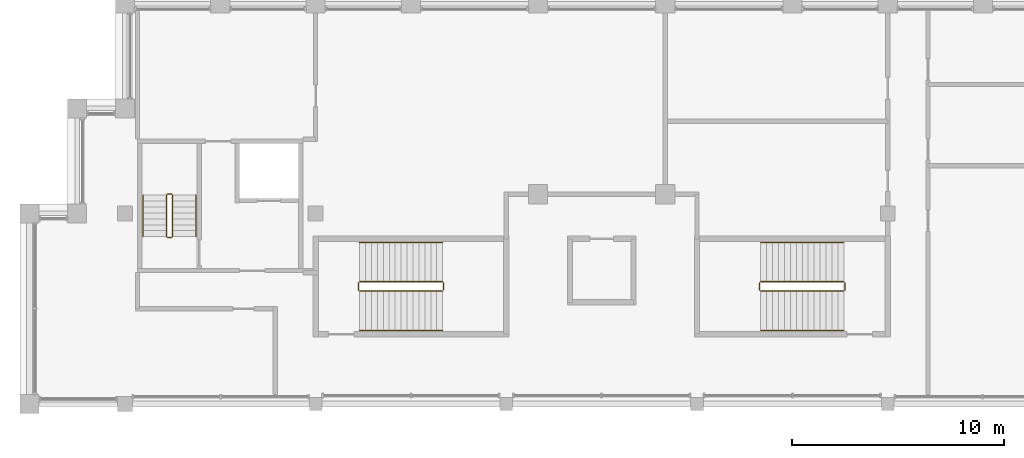
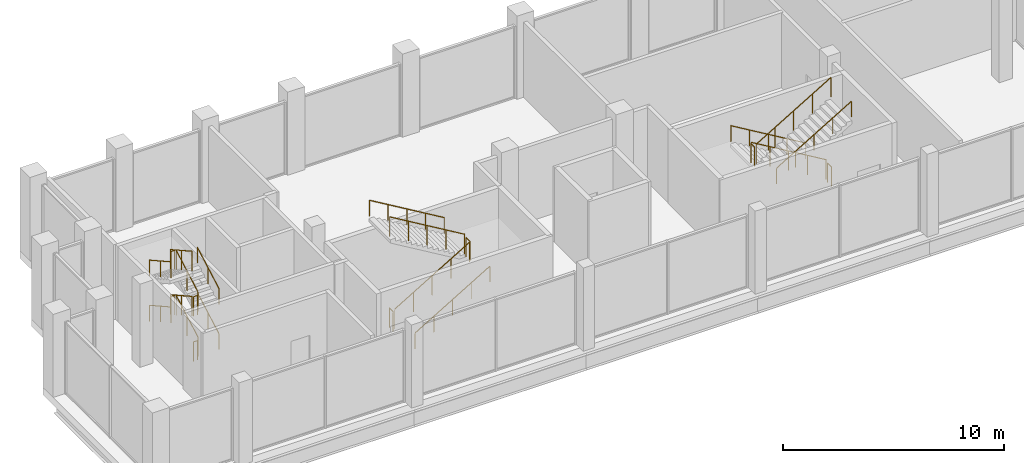
# One storey, part 8 of 8: 3 railings.
"""IFC4 building model written with IfcOpenShell, lengths in metres."""

from ifc_helpers import new_model, si_unit, direction, frame, origin, origin_2d, place, context, subcontext, project, spatial, circle, extrude, material, type_object, element, save


model = new_model("IFC4")

# Units and contexts
model_context = context("Model", 3, precision=1e-05, world=origin(), true_north=direction((0.0, 1.0)))
body_context = subcontext(model_context, "Body", "Model", "MODEL_VIEW")
ifc_project = project(units=[si_unit("LENGTHUNIT", "METRE"), si_unit("AREAUNIT", "SQUARE_METRE"), si_unit("VOLUMEUNIT", "CUBIC_METRE"), si_unit("PLANEANGLEUNIT", "RADIAN"), si_unit("MASSUNIT", "GRAM", prefix="KILO")], contexts=[model_context])

# Site, building, storey
site_placement = place(None, origin())
site = spatial("IfcSite", under=ifc_project, at=site_placement, CompositionType="ELEMENT")
building_placement = place(site_placement, origin())
building = spatial("IfcBuilding", under=site, at=building_placement, Name="Corbelhall Arena Tower", CompositionType="ELEMENT")
storey_placement = place(building_placement, frame((0.0, 0.0, 381.0)))
storey = spatial("IfcBuildingStorey", under=building, at=storey_placement, Name="L82", CompositionType="ELEMENT", Elevation=381.0)

# Railings
ifc_material = material(Name="Steel ASTM A500 Gr C", Category="steel")
railing_type = type_object("IfcRailingType", Name="IN-GD-1100", PredefinedType="GUARDRAIL", material=ifc_material)
railing_1_placement = place(storey_placement, frame((-11.425048828125, 14.324951171875, 0.166748046875)))
element("IfcRailing", 1, at=railing_1_placement, inside=storey, type_object=railing_type, Name="L82 ST1 stair guards and handrails", PredefinedType="GUARDRAIL", context=body_context, shape_type="SweptSolid", body=[
    extrude(circle(Radius=0.02392578125, at=origin_2d()), frame((0.0, 0.0, 1.076171875), z_axis=(0.859310244771, 0.0, 0.511454693235), x_axis=(0.0, 1.0, 0.0)), (0.0, 0.0, 1.0), 4.56201171875),
    extrude(circle(Radius=0.02392578125, at=origin_2d()), frame((3.969970703125, 0.050048828125, 3.4091796875), z_axis=(0.0, 1.0, 0.0), x_axis=(-1.0, 0.0, 0.0)), (0.0, 0.0, 1.0), 0.35009765625),
    extrude(circle(Radius=0.02392578125, at=origin_2d()), frame((3.920166015625, 0.449951171875, 3.576171875), z_axis=(-0.859310244771, 0.0, 0.511454693235), x_axis=(0.0, -1.0, 0.0)), (0.0, 0.0, 1.0), 4.56201171875),
    extrude(circle(Radius=0.02392578125, at=origin_2d()), frame((-0.050048828125, 0.050048828125, 0.9091796875), z_axis=(0.0, 1.0, 0.0), x_axis=(-1.0, 0.0, 0.0)), (0.0, 0.0, 1.0), 0.35009765625),
    extrude(circle(Radius=0.02392578125, at=origin_2d()), frame((0.0, -1.849853515625, 0.8759765625), z_axis=(0.859310244771, 0.0, 0.511454693235), x_axis=(0.0, 1.0, 0.0)), (0.0, 0.0, 1.0), 4.56201171875),
    extrude(circle(Radius=0.02392578125, at=origin_2d()), frame((3.920166015625, 2.300048828125, 3.3759765625), z_axis=(-0.859310244771, 0.0, 0.511454693235), x_axis=(0.0, -1.0, 0.0)), (0.0, 0.0, 1.0), 4.56201171875),
    extrude(circle(Radius=0.02099609375, at=origin_2d()), origin(), (0.0, 0.0, 1.0), 1.052001953125),
    extrude(circle(Radius=0.02099609375, at=origin_2d()), frame((0.97998046875, 0.0, 0.583251953125)), (0.0, 0.0, 1.0), 1.052001953125),
    extrude(circle(Radius=0.02099609375, at=origin_2d()), frame((1.9599609375, 0.0, 1.16650390625)), (0.0, 0.0, 1.0), 1.052001953125),
    extrude(circle(Radius=0.02099609375, at=origin_2d()), frame((2.940185546875, 0.0, 1.75)), (0.0, 0.0, 1.0), 1.052001953125),
    extrude(circle(Radius=0.02099609375, at=origin_2d()), frame((3.920166015625, 0.0, 2.333251953125)), (0.0, 0.0, 1.0), 1.052001953125),
    extrude(circle(Radius=0.02099609375, at=origin_2d()), frame((3.969970703125, 0.050048828125, 2.333251953125)), (0.0, 0.0, 1.0), 1.052001953125),
    extrude(circle(Radius=0.02099609375, at=origin_2d()), frame((3.969970703125, 0.400146484375, 2.333251953125)), (0.0, 0.0, 1.0), 1.052001953125),
    extrude(circle(Radius=0.02099609375, at=origin_2d()), frame((3.920166015625, 0.449951171875, 2.5)), (0.0, 0.0, 1.0), 1.052001953125),
    extrude(circle(Radius=0.02099609375, at=origin_2d()), frame((2.940185546875, 0.449951171875, 3.083251953125)), (0.0, 0.0, 1.0), 1.052001953125),
    extrude(circle(Radius=0.02099609375, at=origin_2d()), frame((1.9599609375, 0.449951171875, 3.66650390625)), (0.0, 0.0, 1.0), 1.052001953125),
    extrude(circle(Radius=0.02099609375, at=origin_2d()), frame((0.97998046875, 0.449951171875, 4.25)), (0.0, 0.0, 1.0), 1.052001953125),
    extrude(circle(Radius=0.02099609375, at=origin_2d()), frame((0.0, 0.449951171875, 4.833251953125)), (0.0, 0.0, 1.0), 1.052001953125),
    extrude(circle(Radius=0.02099609375, at=origin_2d()), frame((-0.050048828125, 0.050048828125, -0.166748046875)), (0.0, 0.0, 1.0), 1.052001953125),
    extrude(circle(Radius=0.02099609375, at=origin_2d()), frame((-0.050048828125, 0.400146484375, -0.166748046875)), (0.0, 0.0, 1.0), 1.052001953125),
    extrude(circle(Radius=0.02099609375, at=origin_2d()), frame((0.0, -1.849853515625, 0.0)), (0.0, 0.0, 1.0), 0.851806640625),
    extrude(circle(Radius=0.02099609375, at=origin_2d()), frame((0.97998046875, -1.849853515625, 0.583251953125)), (0.0, 0.0, 1.0), 0.851806640625),
    extrude(circle(Radius=0.02099609375, at=origin_2d()), frame((1.9599609375, -1.849853515625, 1.16650390625)), (0.0, 0.0, 1.0), 0.851806640625),
    extrude(circle(Radius=0.02099609375, at=origin_2d()), frame((2.940185546875, -1.849853515625, 1.75)), (0.0, 0.0, 1.0), 0.851806640625),
    extrude(circle(Radius=0.02099609375, at=origin_2d()), frame((3.920166015625, -1.849853515625, 2.333251953125)), (0.0, 0.0, 1.0), 0.851806640625),
    extrude(circle(Radius=0.02099609375, at=origin_2d()), frame((3.920166015625, 2.300048828125, 2.5)), (0.0, 0.0, 1.0), 0.851806640625),
    extrude(circle(Radius=0.02099609375, at=origin_2d()), frame((2.940185546875, 2.300048828125, 3.083251953125)), (0.0, 0.0, 1.0), 0.851806640625),
    extrude(circle(Radius=0.02099609375, at=origin_2d()), frame((1.9599609375, 2.300048828125, 3.66650390625)), (0.0, 0.0, 1.0), 0.851806640625),
    extrude(circle(Radius=0.02099609375, at=origin_2d()), frame((0.97998046875, 2.300048828125, 4.25)), (0.0, 0.0, 1.0), 0.851806640625),
    extrude(circle(Radius=0.02099609375, at=origin_2d()), frame((0.0, 2.300048828125, 4.833251953125)), (0.0, 0.0, 1.0), 0.851806640625),
])
railing_2_placement = place(storey_placement, frame((11.425048828125, 14.77490234375, 0.166748046875)))
element("IfcRailing", 2, at=railing_2_placement, inside=storey, type_object=railing_type, Name="L82 ST3 stair guards and handrails", PredefinedType="GUARDRAIL", context=body_context, shape_type="SweptSolid", body=[
    extrude(circle(Radius=0.02392578125, at=origin_2d()), frame((0.0, 0.0, 1.076171875), z_axis=(-0.859310244771, 0.0, 0.511454693235), x_axis=(0.0, -1.0, 0.0)), (0.0, 0.0, 1.0), 4.56201171875),
    extrude(circle(Radius=0.02392578125, at=origin_2d()), frame((-3.969970703125, -0.0498046875, 3.4091796875), z_axis=(0.0, -1.0, 0.0), x_axis=(1.0, 0.0, 0.0)), (0.0, 0.0, 1.0), 0.35009765625),
    extrude(circle(Radius=0.02392578125, at=origin_2d()), frame((-3.920166015625, -0.449951171875, 3.576171875), z_axis=(0.859310244771, 0.0, 0.511454693235), x_axis=(0.0, 1.0, 0.0)), (0.0, 0.0, 1.0), 4.56201171875),
    extrude(circle(Radius=0.02392578125, at=origin_2d()), frame((0.050048828125, -0.0498046875, 0.9091796875), z_axis=(0.0, -1.0, 0.0), x_axis=(1.0, 0.0, 0.0)), (0.0, 0.0, 1.0), 0.35009765625),
    extrude(circle(Radius=0.02392578125, at=origin_2d()), frame((0.0, 1.85009765625, 0.8759765625), z_axis=(-0.859310244771, 0.0, 0.511454693235), x_axis=(0.0, -1.0, 0.0)), (0.0, 0.0, 1.0), 4.56201171875),
    extrude(circle(Radius=0.02392578125, at=origin_2d()), frame((-3.920166015625, -2.2998046875, 3.3759765625), z_axis=(0.859310244771, 0.0, 0.511454693235), x_axis=(0.0, 1.0, 0.0)), (0.0, 0.0, 1.0), 4.56201171875),
    extrude(circle(Radius=0.02099609375, at=origin_2d()), origin(), (0.0, 0.0, 1.0), 1.052001953125),
    extrude(circle(Radius=0.02099609375, at=origin_2d()), frame((-0.97998046875, 0.0, 0.583251953125)), (0.0, 0.0, 1.0), 1.052001953125),
    extrude(circle(Radius=0.02099609375, at=origin_2d()), frame((-1.9599609375, 0.0, 1.16650390625)), (0.0, 0.0, 1.0), 1.052001953125),
    extrude(circle(Radius=0.02099609375, at=origin_2d()), frame((-2.940185546875, 0.0, 1.75)), (0.0, 0.0, 1.0), 1.052001953125),
    extrude(circle(Radius=0.02099609375, at=origin_2d()), frame((-3.920166015625, 0.0, 2.333251953125)), (0.0, 0.0, 1.0), 1.052001953125),
    extrude(circle(Radius=0.02099609375, at=origin_2d()), frame((-3.969970703125, -0.0498046875, 2.333251953125)), (0.0, 0.0, 1.0), 1.052001953125),
    extrude(circle(Radius=0.02099609375, at=origin_2d()), frame((-3.969970703125, -0.39990234375, 2.333251953125)), (0.0, 0.0, 1.0), 1.052001953125),
    extrude(circle(Radius=0.02099609375, at=origin_2d()), frame((-3.920166015625, -0.449951171875, 2.5)), (0.0, 0.0, 1.0), 1.052001953125),
    extrude(circle(Radius=0.02099609375, at=origin_2d()), frame((-2.940185546875, -0.449951171875, 3.083251953125)), (0.0, 0.0, 1.0), 1.052001953125),
    extrude(circle(Radius=0.02099609375, at=origin_2d()), frame((-1.9599609375, -0.449951171875, 3.66650390625)), (0.0, 0.0, 1.0), 1.052001953125),
    extrude(circle(Radius=0.02099609375, at=origin_2d()), frame((-0.97998046875, -0.449951171875, 4.25)), (0.0, 0.0, 1.0), 1.052001953125),
    extrude(circle(Radius=0.02099609375, at=origin_2d()), frame((0.0, -0.449951171875, 4.833251953125)), (0.0, 0.0, 1.0), 1.052001953125),
    extrude(circle(Radius=0.02099609375, at=origin_2d()), frame((0.050048828125, -0.0498046875, -0.166748046875)), (0.0, 0.0, 1.0), 1.052001953125),
    extrude(circle(Radius=0.02099609375, at=origin_2d()), frame((0.050048828125, -0.39990234375, -0.166748046875)), (0.0, 0.0, 1.0), 1.052001953125),
    extrude(circle(Radius=0.02099609375, at=origin_2d()), frame((0.0, 1.85009765625, 0.0)), (0.0, 0.0, 1.0), 0.851806640625),
    extrude(circle(Radius=0.02099609375, at=origin_2d()), frame((-0.97998046875, 1.85009765625, 0.583251953125)), (0.0, 0.0, 1.0), 0.851806640625),
    extrude(circle(Radius=0.02099609375, at=origin_2d()), frame((-1.9599609375, 1.85009765625, 1.16650390625)), (0.0, 0.0, 1.0), 0.851806640625),
    extrude(circle(Radius=0.02099609375, at=origin_2d()), frame((-2.940185546875, 1.85009765625, 1.75)), (0.0, 0.0, 1.0), 0.851806640625),
    extrude(circle(Radius=0.02099609375, at=origin_2d()), frame((-3.920166015625, 1.85009765625, 2.333251953125)), (0.0, 0.0, 1.0), 0.851806640625),
    extrude(circle(Radius=0.02099609375, at=origin_2d()), frame((-3.920166015625, -2.2998046875, 2.5)), (0.0, 0.0, 1.0), 0.851806640625),
    extrude(circle(Radius=0.02099609375, at=origin_2d()), frame((-2.940185546875, -2.2998046875, 3.083251953125)), (0.0, 0.0, 1.0), 0.851806640625),
    extrude(circle(Radius=0.02099609375, at=origin_2d()), frame((-1.9599609375, -2.2998046875, 3.66650390625)), (0.0, 0.0, 1.0), 0.851806640625),
    extrude(circle(Radius=0.02099609375, at=origin_2d()), frame((-0.97998046875, -2.2998046875, 4.25)), (0.0, 0.0, 1.0), 0.851806640625),
    extrude(circle(Radius=0.02099609375, at=origin_2d()), frame((0.0, -2.2998046875, 4.833251953125)), (0.0, 0.0, 1.0), 0.851806640625),
])
railing_3_placement = place(storey_placement, frame((-20.2451171875, 16.89990234375, 0.15625)))
element("IfcRailing", 3, at=railing_3_placement, inside=storey, type_object=railing_type, Name="L82 ST5 stair guards and handrails", PredefinedType="GUARDRAIL", context=body_context, shape_type="SweptSolid", body=[
    extrude(circle(Radius=0.02392578125, at=origin_2d()), frame((0.0, 0.0, 1.076171875), z_axis=(0.0, 0.873257974695, 0.487258155017), x_axis=(-1.0, 0.0, 0.0)), (0.0, 0.0, 1.0), 2.24462890625),
    extrude(circle(Radius=0.02392578125, at=origin_2d()), frame((-0.0498046875, 2.010009765625, 2.169921875), z_axis=(-1.0, 0.0, 0.0), x_axis=(0.0, -1.0, 0.0)), (0.0, 0.0, 1.0), 0.2001953125),
    extrude(circle(Radius=0.02392578125, at=origin_2d()), frame((-0.2998046875, 1.960205078125, 2.326171875), z_axis=(0.0, -0.873257974695, 0.487258155017), x_axis=(1.0, 0.0, 0.0)), (0.0, 0.0, 1.0), 2.24462890625),
    extrude(circle(Radius=0.02392578125, at=origin_2d()), frame((-0.0498046875, -0.0498046875, 3.419921875), z_axis=(-1.0, 0.0, 0.0), x_axis=(0.0, -1.0, 0.0)), (0.0, 0.0, 1.0), 0.2001953125),
    extrude(circle(Radius=0.02392578125, at=origin_2d()), frame((0.0, 0.0, 3.576171875), z_axis=(0.0, 0.873257974695, 0.487258155017), x_axis=(-1.0, 0.0, 0.0)), (0.0, 0.0, 1.0), 2.24462890625),
    extrude(circle(Radius=0.02392578125, at=origin_2d()), frame((-0.0498046875, 2.010009765625, 4.669921875), z_axis=(-1.0, 0.0, 0.0), x_axis=(0.0, -1.0, 0.0)), (0.0, 0.0, 1.0), 0.2001953125),
    extrude(circle(Radius=0.02392578125, at=origin_2d()), frame((-0.2998046875, 1.960205078125, 4.826171875), z_axis=(0.0, -0.873257974695, 0.487258155017), x_axis=(1.0, 0.0, 0.0)), (0.0, 0.0, 1.0), 2.24462890625),
    extrude(circle(Radius=0.02392578125, at=origin_2d()), frame((-0.0498046875, -0.0498046875, 0.919921875), z_axis=(-1.0, 0.0, 0.0), x_axis=(0.0, -1.0, 0.0)), (0.0, 0.0, 1.0), 0.2001953125),
    extrude(circle(Radius=0.02392578125, at=origin_2d()), frame((1.10009765625, 0.0, 0.8759765625), z_axis=(0.0, 0.873257974695, 0.487258155017), x_axis=(-1.0, 0.0, 0.0)), (0.0, 0.0, 1.0), 2.24462890625),
    extrude(circle(Radius=0.02392578125, at=origin_2d()), frame((-1.39990234375, 1.960205078125, 2.1259765625), z_axis=(0.0, -0.873257974695, 0.487258155017), x_axis=(1.0, 0.0, 0.0)), (0.0, 0.0, 1.0), 2.24462890625),
    extrude(circle(Radius=0.02392578125, at=origin_2d()), frame((1.10009765625, 0.0, 3.3759765625), z_axis=(0.0, 0.873257974695, 0.487258155017), x_axis=(-1.0, 0.0, 0.0)), (0.0, 0.0, 1.0), 2.24462890625),
    extrude(circle(Radius=0.02392578125, at=origin_2d()), frame((-1.39990234375, 1.960205078125, 4.6259765625), z_axis=(0.0, -0.873257974695, 0.487258155017), x_axis=(1.0, 0.0, 0.0)), (0.0, 0.0, 1.0), 2.24462890625),
    extrude(circle(Radius=0.02099609375, at=origin_2d()), origin(), (0.0, 0.0, 1.0), 1.052001953125),
    extrude(circle(Radius=0.02099609375, at=origin_2d()), frame((0.0, 0.97998046875, 0.546875)), (0.0, 0.0, 1.0), 1.052001953125),
    extrude(circle(Radius=0.02099609375, at=origin_2d()), frame((0.0, 1.960205078125, 1.09375)), (0.0, 0.0, 1.0), 1.052001953125),
    extrude(circle(Radius=0.02099609375, at=origin_2d()), frame((-0.0498046875, 2.010009765625, 1.09375)), (0.0, 0.0, 1.0), 1.052001953125),
    extrude(circle(Radius=0.02099609375, at=origin_2d()), frame((-0.25, 2.010009765625, 1.09375)), (0.0, 0.0, 1.0), 1.052001953125),
    extrude(circle(Radius=0.02099609375, at=origin_2d()), frame((-0.2998046875, 1.960205078125, 1.25)), (0.0, 0.0, 1.0), 1.052001953125),
    extrude(circle(Radius=0.02099609375, at=origin_2d()), frame((-0.2998046875, 0.97998046875, 1.796875)), (0.0, 0.0, 1.0), 1.052001953125),
    extrude(circle(Radius=0.02099609375, at=origin_2d()), frame((-0.2998046875, 0.0, 2.34375)), (0.0, 0.0, 1.0), 1.052001953125),
    extrude(circle(Radius=0.02099609375, at=origin_2d()), frame((-0.0498046875, -0.0498046875, 2.34375)), (0.0, 0.0, 1.0), 1.052001953125),
    extrude(circle(Radius=0.02099609375, at=origin_2d()), frame((-0.25, -0.0498046875, 2.34375)), (0.0, 0.0, 1.0), 1.052001953125),
    extrude(circle(Radius=0.02099609375, at=origin_2d()), frame((0.0, 0.0, 2.5)), (0.0, 0.0, 1.0), 1.052001953125),
    extrude(circle(Radius=0.02099609375, at=origin_2d()), frame((0.0, 0.97998046875, 3.046875)), (0.0, 0.0, 1.0), 1.052001953125),
    extrude(circle(Radius=0.02099609375, at=origin_2d()), frame((0.0, 1.960205078125, 3.59375)), (0.0, 0.0, 1.0), 1.052001953125),
    extrude(circle(Radius=0.02099609375, at=origin_2d()), frame((-0.0498046875, 2.010009765625, 3.59375)), (0.0, 0.0, 1.0), 1.052001953125),
    extrude(circle(Radius=0.02099609375, at=origin_2d()), frame((-0.25, 2.010009765625, 3.59375)), (0.0, 0.0, 1.0), 1.052001953125),
    extrude(circle(Radius=0.02099609375, at=origin_2d()), frame((-0.2998046875, 1.960205078125, 3.75)), (0.0, 0.0, 1.0), 1.052001953125),
    extrude(circle(Radius=0.02099609375, at=origin_2d()), frame((-0.2998046875, 0.97998046875, 4.296875)), (0.0, 0.0, 1.0), 1.052001953125),
    extrude(circle(Radius=0.02099609375, at=origin_2d()), frame((-0.2998046875, 0.0, 4.84375)), (0.0, 0.0, 1.0), 1.052001953125),
    extrude(circle(Radius=0.02099609375, at=origin_2d()), frame((-0.0498046875, -0.0498046875, -0.15625)), (0.0, 0.0, 1.0), 1.052001953125),
    extrude(circle(Radius=0.02099609375, at=origin_2d()), frame((-0.25, -0.0498046875, -0.15625)), (0.0, 0.0, 1.0), 1.052001953125),
    extrude(circle(Radius=0.02099609375, at=origin_2d()), frame((1.10009765625, 0.0, 0.0)), (0.0, 0.0, 1.0), 0.851806640625),
    extrude(circle(Radius=0.02099609375, at=origin_2d()), frame((1.10009765625, 0.97998046875, 0.546875)), (0.0, 0.0, 1.0), 0.851806640625),
    extrude(circle(Radius=0.02099609375, at=origin_2d()), frame((1.10009765625, 1.960205078125, 1.09375)), (0.0, 0.0, 1.0), 0.851806640625),
    extrude(circle(Radius=0.02099609375, at=origin_2d()), frame((-1.39990234375, 1.960205078125, 1.25)), (0.0, 0.0, 1.0), 0.851806640625),
    extrude(circle(Radius=0.02099609375, at=origin_2d()), frame((-1.39990234375, 0.97998046875, 1.796875)), (0.0, 0.0, 1.0), 0.851806640625),
    extrude(circle(Radius=0.02099609375, at=origin_2d()), frame((-1.39990234375, 0.0, 2.34375)), (0.0, 0.0, 1.0), 0.851806640625),
    extrude(circle(Radius=0.02099609375, at=origin_2d()), frame((1.10009765625, 0.0, 2.5)), (0.0, 0.0, 1.0), 0.851806640625),
    extrude(circle(Radius=0.02099609375, at=origin_2d()), frame((1.10009765625, 0.97998046875, 3.046875)), (0.0, 0.0, 1.0), 0.851806640625),
    extrude(circle(Radius=0.02099609375, at=origin_2d()), frame((1.10009765625, 1.960205078125, 3.59375)), (0.0, 0.0, 1.0), 0.851806640625),
    extrude(circle(Radius=0.02099609375, at=origin_2d()), frame((-1.39990234375, 1.960205078125, 3.75)), (0.0, 0.0, 1.0), 0.851806640625),
    extrude(circle(Radius=0.02099609375, at=origin_2d()), frame((-1.39990234375, 0.97998046875, 4.296875)), (0.0, 0.0, 1.0), 0.851806640625),
    extrude(circle(Radius=0.02099609375, at=origin_2d()), frame((-1.39990234375, 0.0, 4.84375)), (0.0, 0.0, 1.0), 0.851806640625),
])

save(model, "model.ifc")
